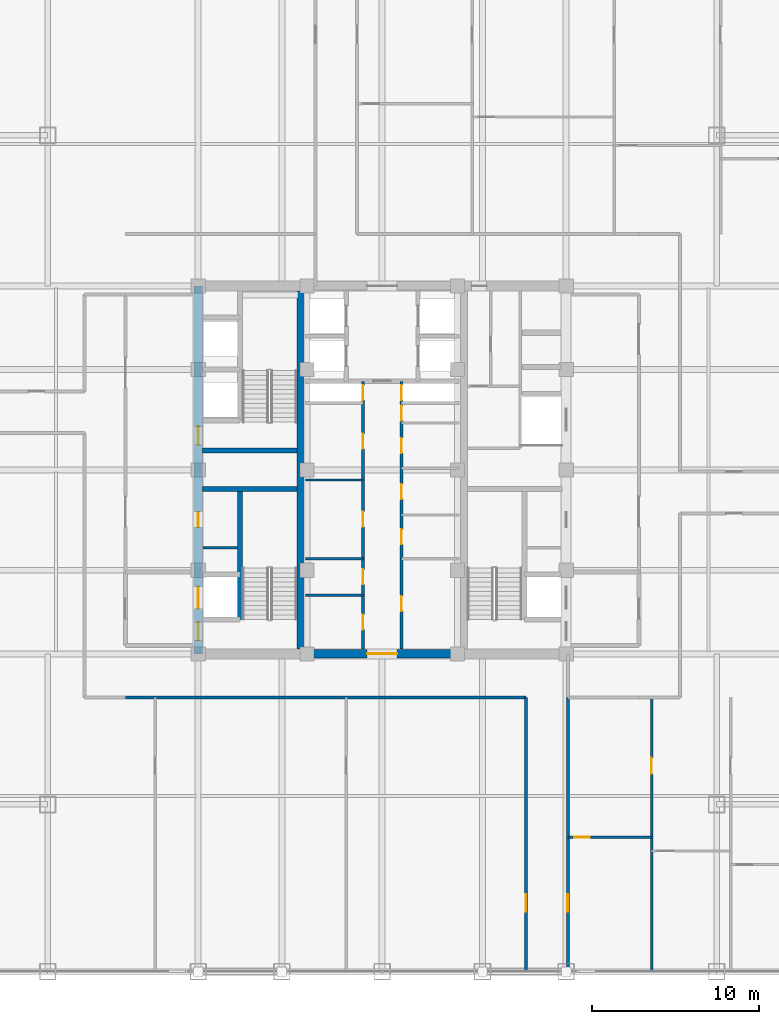
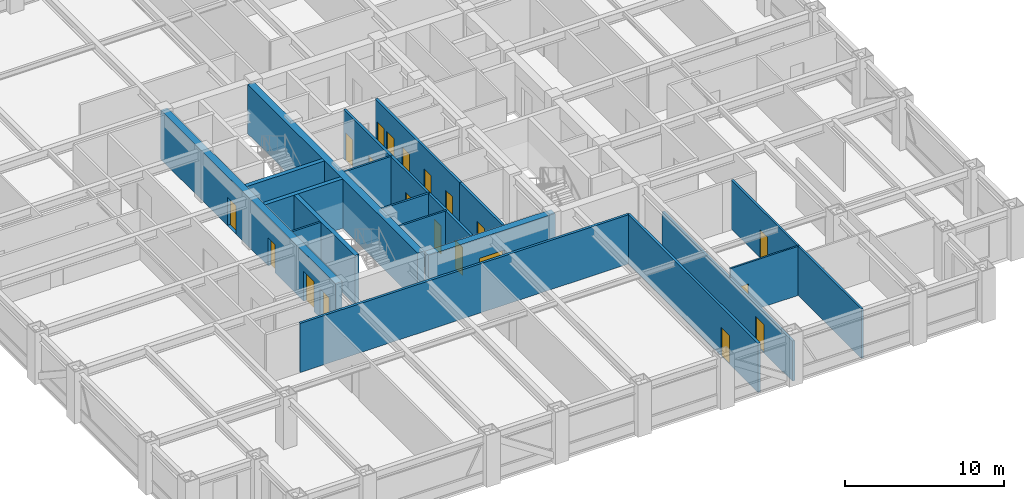
# One storey, part 20 of 25: 20 doors, 19 walls, 20 openings.
"""IFC4 building model written with IfcOpenShell, lengths in metres."""

from ifc_helpers import new_model, si_unit, direction, frame, frame_2d, origin, place, context, subcontext, project, spatial, rectangle, extrude, source, transform, mapped, material, layer, layer_set, type_object, element, fill, save


model = new_model("IFC4")

# Units and contexts
model_context = context("Model", 3, precision=1e-05, world=origin(), true_north=direction((0.0, 1.0)))
body_context = subcontext(model_context, "Body", "Model", "MODEL_VIEW")
ifc_project = project(units=[si_unit("LENGTHUNIT", "METRE"), si_unit("AREAUNIT", "SQUARE_METRE"), si_unit("VOLUMEUNIT", "CUBIC_METRE"), si_unit("PLANEANGLEUNIT", "RADIAN"), si_unit("MASSUNIT", "GRAM", prefix="KILO")], contexts=[model_context])

# Site, building, storey
site_placement = place(None, origin())
site = spatial("IfcSite", under=ifc_project, at=site_placement, CompositionType="ELEMENT")
building_placement = place(site_placement, origin())
building = spatial("IfcBuilding", under=site, at=building_placement, Name="Khorayat Bourse Tower", CompositionType="ELEMENT")
storey_placement = place(building_placement, frame((0.0, 0.0, 251.10009765625)))
storey = spatial("IfcBuildingStorey", under=building, at=storey_placement, Name="L59", CompositionType="ELEMENT", Elevation=251.10009765625)

# Wall
ifc_material_1 = material(Name="Concrete C52/65", Category="concrete")
ifc_layer_1 = layer(ifc_material_1, 0.5)
ifc_layer_set_1 = layer_set([ifc_layer_1], Name="Concrete C52/65")
wall_type_1 = type_object("IfcWallType", Name="WAL-CORE-500", PredefinedType="SHEAR", material=ifc_layer_set_1)
shared_shape_1 = source(origin(), body_context, "Body", "SweptSolid", [
    extrude(rectangle(XDim=21.39990234375, YDim=0.5, at=frame_2d((10.699951171875, 0.0))), origin(), (0.0, 0.0, 1.0), 3.77978515625),
])
wall_1_placement = place(storey_placement, frame((-4.85009765625, -10.699951171875, 0.0), z_axis=(0.0, 0.0, 1.0), x_axis=(0.0, 1.0, 0.0)))
element("IfcWall", 1, at=wall_1_placement, inside=storey, type_object=wall_type_1, Name="L59 Core Shear Wall PIER-W", PredefinedType="SHEAR", context=body_context, shape_type="MappedRepresentation", body=[
    mapped(shared_shape_1, transform((0.0, 0.0, 0.0), scale=1.0)),
])

# Wall, opening, door
shared_shape_2 = source(origin(), body_context, "Body", "SweptSolid", [
    extrude(rectangle(XDim=9.2001953125, YDim=0.5, at=frame_2d((4.60009765625, 0.0))), origin(), (0.0, 0.0, 1.0), 3.77978515625),
])
wall_2_placement = place(storey_placement, frame((-4.60009765625, -11.0, 0.0), z_axis=(0.0, 0.0, 1.0), x_axis=(1.0, 0.0, 0.0)))
wall_2 = element("IfcWall", 2, at=wall_2_placement, inside=storey, type_object=wall_type_1, Name="L59 Core Shear Wall CORE-S", PredefinedType="SHEAR", context=body_context, shape_type="MappedRepresentation", body=[
    mapped(shared_shape_2, transform((0.0, 0.0, 0.0), scale=1.0)),
])
shared_shape_3 = source(origin(), body_context, "Body", "SweptSolid", [
    extrude(rectangle(XDim=1.800048828125, YDim=2.25, at=frame_2d((0.89990234375, 1.125))), frame((0.0, 0.260009765625, 0.0), z_axis=(0.0, -1.0, 0.0), x_axis=(1.0, 0.0, 0.0)), (0.0, 0.0, 1.0), 0.52001953125),
])
opening_1_placement = place(wall_2_placement, frame((3.699951171875, 0.0, 0.0)))
opening_1 = element("IfcOpeningElement", 3, at=opening_1_placement, cuts=wall_2, Name="Opening DI-03", PredefinedType="OPENING", context=body_context, shape_type="MappedRepresentation", body=[
    mapped(shared_shape_3, transform((0.0, 0.0, 0.0), scale=1.0)),
])
ifc_material_2 = material(Name="Fire-rated hardwood vision-panel double leaf", Category="wood")
door_type_1 = type_object("IfcDoorType", Name="DR-INT-CORR-1800", OperationType="NOTDEFINED", PredefinedType="DOOR", material=ifc_material_2)
shared_shape_4 = source(origin(), body_context, "Body", "SweptSolid", [
    extrude(rectangle(XDim=1.800048828125, YDim=2.25, at=frame_2d((0.89990234375, 1.125))), frame((0.0, 0.02490234375, 0.0), z_axis=(0.0, -1.0, 0.0), x_axis=(1.0, 0.0, 0.0)), (0.0, 0.0, 1.0), 0.050048828125),
])
door_1_placement = place(opening_1_placement, origin())
door_1 = element("IfcDoor", 4, at=door_1_placement, inside=storey, type_object=door_type_1, Name="L59 Central Core South Passage Door", OperationType="SINGLE_SWING_LEFT", OverallHeight=2.25, OverallWidth=1.800048828125, PredefinedType="DOOR", context=body_context, shape_type="MappedRepresentation", body=[
    mapped(shared_shape_4, transform((0.0, 0.0, 0.0), scale=1.0)),
])
fill(opening_1, door_1)

# Wall, openings, doors
shared_shape_5 = source(origin(), body_context, "Body", "SweptSolid", [
    extrude(rectangle(XDim=22.0, YDim=0.5, at=frame_2d((11.0, 0.0))), origin(), (0.0, 0.0, 1.0), 3.77978515625),
])
wall_3_placement = place(storey_placement, frame((-11.0, -11.0, 0.0), z_axis=(0.0, 0.0, 1.0), x_axis=(0.0, 1.0, 0.0)))
wall_3 = element("IfcWall", 5, at=wall_3_placement, inside=storey, type_object=wall_type_1, Name="L59 Core Shear Wall CORE-W", PredefinedType="SHEAR", context=body_context, shape_type="MappedRepresentation", body=[
    mapped(shared_shape_5, transform((0.0, 0.0, 0.0), scale=1.0)),
])
shared_shape_6 = source(origin(), body_context, "Body", "SweptSolid", [
    extrude(rectangle(XDim=1.10009765625, YDim=2.199951171875, at=frame_2d((0.550048828125, 1.10009765625))), frame((0.0, 0.260009765625, 0.0), z_axis=(0.0, -1.0, 0.0), x_axis=(1.0, 0.0, 0.0)), (0.0, 0.0, 1.0), 0.52001953125),
])
opening_2_placement = place(wall_3_placement, frame((0.800048828125, 0.0, 0.0)))
opening_2 = element("IfcOpeningElement", 6, at=opening_2_placement, cuts=wall_3, Name="Opening DI-01", PredefinedType="OPENING", context=body_context, shape_type="MappedRepresentation", body=[
    mapped(shared_shape_6, transform((0.0, 0.0, 0.0), scale=1.0)),
])
opening_3_placement = place(wall_3_placement, frame((12.5, 0.0, 0.0)))
opening_3 = element("IfcOpeningElement", 7, at=opening_3_placement, cuts=wall_3, Name="Opening DI-01", PredefinedType="OPENING", context=body_context, shape_type="MappedRepresentation", body=[
    mapped(shared_shape_6, transform((0.0, 0.0, 0.0), scale=1.0)),
])
shared_shape_7 = source(origin(), body_context, "Body", "SweptSolid", [
    extrude(rectangle(XDim=0.89990234375, YDim=2.14990234375, at=frame_2d((0.449951171875, 1.074951171875))), frame((0.0, 0.260009765625, 0.0), z_axis=(0.0, -1.0, 0.0), x_axis=(1.0, 0.0, 0.0)), (0.0, 0.0, 1.0), 0.52001953125),
])
opening_4_placement = place(wall_3_placement, frame((7.574951171875, 0.0, 0.0)))
opening_4 = element("IfcOpeningElement", 8, at=opening_4_placement, cuts=wall_3, Name="Opening DI-06", PredefinedType="OPENING", context=body_context, shape_type="MappedRepresentation", body=[
    mapped(shared_shape_7, transform((0.0, 0.0, 0.0), scale=1.0)),
])
shared_shape_8 = source(origin(), body_context, "Body", "SweptSolid", [
    extrude(rectangle(XDim=1.300048828125, YDim=2.300048828125, at=frame_2d((0.64990234375, 1.14990234375))), frame((0.0, 0.260009765625, 0.0), z_axis=(0.0, -1.0, 0.0), x_axis=(1.0, 0.0, 0.0)), (0.0, 0.0, 1.0), 0.52001953125),
])
opening_5_placement = place(wall_3_placement, frame((2.699951171875, 0.0, 0.0)))
opening_5 = element("IfcOpeningElement", 9, at=opening_5_placement, cuts=wall_3, Name="Opening LD-02", PredefinedType="OPENING", context=body_context, shape_type="MappedRepresentation", body=[
    mapped(shared_shape_8, transform((0.0, 0.0, 0.0), scale=1.0)),
])
ifc_material_3 = material(Name="Fire-rated steel acoustic leaf", Category="steel")
door_type_2 = type_object("IfcDoorType", Name="DR-INT-STAIR-1100", OperationType="NOTDEFINED", PredefinedType="DOOR", material=ifc_material_3)
shared_shape_9 = source(origin(), body_context, "Body", "SweptSolid", [
    extrude(rectangle(XDim=1.10009765625, YDim=2.199951171875, at=frame_2d((0.550048828125, 1.10009765625))), frame((0.0, 0.02490234375, 0.0), z_axis=(0.0, -1.0, 0.0), x_axis=(1.0, 0.0, 0.0)), (0.0, 0.0, 1.0), 0.050048828125),
])
door_2_placement = place(opening_2_placement, origin())
door_2 = element("IfcDoor", 10, at=door_2_placement, inside=storey, type_object=door_type_2, Name="L59 Exit Stair 1 Door", OperationType="SINGLE_SWING_RIGHT", OverallHeight=2.199951171875, OverallWidth=1.10009765625, PredefinedType="DOOR", context=body_context, shape_type="MappedRepresentation", body=[
    mapped(shared_shape_9, transform((0.0, 0.0, 0.0), scale=1.0)),
])
fill(opening_2, door_2)
door_3_placement = place(opening_3_placement, origin())
door_3 = element("IfcDoor", 11, at=door_3_placement, inside=storey, type_object=door_type_2, Name="L59 Exit Stair 2 Door", OperationType="SINGLE_SWING_RIGHT", OverallHeight=2.199951171875, OverallWidth=1.10009765625, PredefinedType="DOOR", context=body_context, shape_type="MappedRepresentation", body=[
    mapped(shared_shape_9, transform((0.0, 0.0, 0.0), scale=1.0)),
])
fill(opening_3, door_3)
ifc_material_4 = material(Name="Moisture-resistant laminate washroom door")
door_type_3 = type_object("IfcDoorType", Name="DR-INT-WC-900", OperationType="NOTDEFINED", PredefinedType="DOOR", material=ifc_material_4)
shared_shape_10 = source(origin(), body_context, "Body", "SweptSolid", [
    extrude(rectangle(XDim=0.89990234375, YDim=2.14990234375, at=frame_2d((0.449951171875, 1.074951171875))), frame((0.0, 0.02490234375, 0.0), z_axis=(0.0, -1.0, 0.0), x_axis=(1.0, 0.0, 0.0)), (0.0, 0.0, 1.0), 0.050048828125),
])
door_4_placement = place(opening_4_placement, origin())
door_4 = element("IfcDoor", 12, at=door_4_placement, inside=storey, type_object=door_type_3, Name="L59 UPS Switch Plant Room Door", OperationType="SINGLE_SWING_RIGHT", OverallHeight=2.14990234375, OverallWidth=0.89990234375, PredefinedType="DOOR", context=body_context, shape_type="MappedRepresentation", body=[
    mapped(shared_shape_10, transform((0.0, 0.0, 0.0), scale=1.0)),
])
fill(opening_4, door_4)
ifc_material_5 = material(Name="Fire-rated stainless-steel sliding landing door", Category="steel")
door_type_4 = type_object("IfcDoorType", Name="DR-LIFT-FF-1300", OperationType="NOTDEFINED", PredefinedType="DOOR", material=ifc_material_5)
shared_shape_11 = source(origin(), body_context, "Body", "SweptSolid", [
    extrude(rectangle(XDim=1.300048828125, YDim=2.300048828125, at=frame_2d((0.64990234375, 1.14990234375))), frame((0.0, 0.02490234375, 0.0), z_axis=(0.0, -1.0, 0.0), x_axis=(1.0, 0.0, 0.0)), (0.0, 0.0, 1.0), 0.050048828125),
])
door_5_placement = place(opening_5_placement, origin())
door_5 = element("IfcDoor", 13, at=door_5_placement, inside=storey, type_object=door_type_4, Name="L59 Lift FFL-01 Sliding Landing Door", OperationType="SLIDING_TO_LEFT", OverallHeight=2.300048828125, OverallWidth=1.300048828125, PredefinedType="DOOR", context=body_context, shape_type="MappedRepresentation", body=[
    mapped(shared_shape_11, transform((0.0, 0.0, 0.0), scale=1.0)),
])
fill(opening_5, door_5)

# Walls
ifc_material_6 = material(Name="Concrete C50/60", Category="concrete")
ifc_layer_2 = layer(ifc_material_6, 0.300048828125)
ifc_layer_set_2 = layer_set([ifc_layer_2], Name="Concrete C50/60")
wall_type_2 = type_object("IfcWallType", Name="WAL-SHAFT-300", PredefinedType="SHEAR", material=ifc_layer_set_2)
shared_shape_12 = source(origin(), body_context, "Body", "SweptSolid", [
    extrude(rectangle(XDim=5.64990234375, YDim=0.300048828125, at=frame_2d((2.824951171875, 0.0))), origin(), (0.0, 0.0, 1.0), 3.77978515625),
])
for number, where, z_axis, x_axis, name in (
    (14, (-10.75, -1.14990234375, 0.0), (0.0, 0.0, 1.0), (1.0, 0.0, 0.0), "L59 Core Shear Wall ST1-DIV"),
    (15, (-10.75, 1.14990234375, 0.0), (0.0, 0.0, 1.0), (1.0, 0.0, 0.0), "L59 Core Shear Wall ST2-DIV"),
):
    element("IfcWall", number, at=place(storey_placement, frame(where, z_axis=z_axis, x_axis=x_axis)), inside=storey, type_object=wall_type_2, Name=name, PredefinedType="SHEAR", context=body_context, shape_type="MappedRepresentation", body=[
        mapped(shared_shape_12, transform((0.0, 0.0, 0.0), scale=1.0)),
    ])
shared_shape_13 = source(origin(), body_context, "Body", "SweptSolid", [
    extrude(rectangle(XDim=7.800048828125, YDim=0.300048828125, at=frame_2d((3.89990234375, 0.0))), origin(), (0.0, 0.0, 1.0), 3.77978515625),
])
wall_4_placement = place(storey_placement, frame((-8.5, -8.949951171875, 0.0), z_axis=(0.0, 0.0, 1.0), x_axis=(0.0, 1.0, 0.0)))
element("IfcWall", 16, at=wall_4_placement, inside=storey, type_object=wall_type_2, Name="L59 Partition WAL-L59-WPIER-SP", PredefinedType="SHEAR", context=body_context, shape_type="MappedRepresentation", body=[
    mapped(shared_shape_13, transform((0.0, 0.0, 0.0), scale=1.0)),
])
ifc_material_7 = material(Name="Gypsum plasterboard twin-frame partition")
ifc_layer_3 = layer(ifc_material_7, 0.14990234375)
ifc_layer_set_3 = layer_set([ifc_layer_3], Name="Gypsum plasterboard twin-frame partition")
wall_type_3 = type_object("IfcWallType", Name="WAL-PART-SUITE-150", PredefinedType="PARTITIONING", material=ifc_layer_set_3)
shared_shape_14 = source(origin(), body_context, "Body", "SweptSolid", [
    extrude(rectangle(XDim=2.050048828125, YDim=0.14990234375, at=frame_2d((1.02490234375, 0.0))), origin(), (0.0, 0.0, 1.0), 3.77978515625),
])
wall_5_placement = place(storey_placement, frame((-10.699951171875, -4.64990234375, 0.0), z_axis=(0.0, 0.0, 1.0), x_axis=(1.0, 0.0, 0.0)))
element("IfcWall", 17, at=wall_5_placement, inside=storey, type_object=wall_type_3, Name="L59 Partition WAL-L59-WSRV-S0", PredefinedType="PARTITIONING", context=body_context, shape_type="MappedRepresentation", body=[
    mapped(shared_shape_14, transform((0.0, 0.0, 0.0), scale=1.0)),
])
shared_shape_15 = source(origin(), body_context, "Body", "SweptSolid", [
    extrude(rectangle(XDim=3.4501953125, YDim=0.14990234375, at=frame_2d((1.72509765625, 0.0))), origin(), (0.0, 0.0, 1.0), 3.77978515625),
])
wall_6_placement = place(storey_placement, frame((-4.60009765625, -5.300048828125, 0.0), z_axis=(0.0, 0.0, 1.0), x_axis=(1.0, 0.0, 0.0)))
element("IfcWall", 18, at=wall_6_placement, inside=storey, type_object=wall_type_3, Name="L59 Partition WAL-L59-FB1-NW", PredefinedType="PARTITIONING", context=body_context, shape_type="MappedRepresentation", body=[
    mapped(shared_shape_15, transform((0.0, 0.0, 0.0), scale=1.0)),
])
ifc_material_8 = material(Name="Moisture-resistant masonry partition", Category="masonry")
ifc_layer_4 = layer(ifc_material_8, 0.139892578125)
ifc_layer_set_4 = layer_set([ifc_layer_4], Name="Moisture-resistant masonry partition")
wall_type_4 = type_object("IfcWallType", Name="WAL-PART-WET-140", PredefinedType="PARTITIONING", material=ifc_layer_set_4)
shared_shape_16 = source(origin(), body_context, "Body", "SweptSolid", [
    extrude(rectangle(XDim=3.4501953125, YDim=0.139892578125, at=frame_2d((1.72509765625, 0.0))), origin(), (0.0, 0.0, 1.0), 3.77978515625),
])
for number, where, z_axis, x_axis, name in (
    (19, (-4.60009765625, -7.5, 0.0), (0.0, 0.0, 1.0), (1.0, 0.0, 0.0), "L59 Partition WAL-L59-FB1W-D1"),
    (20, (-4.60009765625, -0.60009765625, 0.0), (0.0, 0.0, 1.0), (1.0, 0.0, 0.0), "L59 Partition WAL-L59-CMW-D1"),
):
    element("IfcWall", number, at=place(storey_placement, frame(where, z_axis=z_axis, x_axis=x_axis)), inside=storey, type_object=wall_type_4, Name=name, PredefinedType="PARTITIONING", context=body_context, shape_type="MappedRepresentation", body=[
        mapped(shared_shape_16, transform((0.0, 0.0, 0.0), scale=1.0)),
    ])

# Wall, openings, doors
ifc_material_9 = material(Name="Gypsum plasterboard acoustic stud wall")
ifc_layer_5 = layer(ifc_material_9, 0.179931640625)
ifc_layer_set_5 = layer_set([ifc_layer_5], Name="Gypsum plasterboard acoustic stud wall")
wall_type_5 = type_object("IfcWallType", Name="WAL-PART-CORR-180", PredefinedType="PARTITIONING", material=ifc_layer_set_5)
shared_shape_17 = source(origin(), body_context, "Body", "SweptSolid", [
    extrude(rectangle(XDim=5.39990234375, YDim=0.179931640625, at=frame_2d((2.699951171875, 0.0))), origin(), (0.0, 0.0, 1.0), 3.77978515625),
])
wall_7_placement = place(storey_placement, frame((-1.14990234375, -10.699951171875, 0.0), z_axis=(0.0, 0.0, 1.0), x_axis=(0.0, 1.0, 0.0)))
wall_7 = element("IfcWall", 21, at=wall_7_placement, inside=storey, type_object=wall_type_5, Name="L59 Partition WAL-L59-FB1W-L", PredefinedType="PARTITIONING", context=body_context, shape_type="MappedRepresentation", body=[
    mapped(shared_shape_17, transform((0.0, 0.0, 0.0), scale=1.0)),
])
shared_shape_18 = source(origin(), body_context, "Body", "SweptSolid", [
    extrude(rectangle(XDim=0.89990234375, YDim=2.14990234375, at=frame_2d((0.449951171875, 1.074951171875))), frame((0.0, 0.099853515625, 0.0), z_axis=(0.0, -1.0, 0.0), x_axis=(1.0, 0.0, 0.0)), (0.0, 0.0, 1.0), 0.199951171875),
])
opening_6_placement = place(wall_7_placement, frame((1.14990234375, 0.0, 0.0)))
opening_6 = element("IfcOpeningElement", 22, at=opening_6_placement, cuts=wall_7, Name="Opening DI-06", PredefinedType="OPENING", context=body_context, shape_type="MappedRepresentation", body=[
    mapped(shared_shape_18, transform((0.0, 0.0, 0.0), scale=1.0)),
])
opening_7_placement = place(wall_7_placement, frame((3.85009765625, 0.0, 0.0)))
opening_7 = element("IfcOpeningElement", 23, at=opening_7_placement, cuts=wall_7, Name="Opening DI-06", PredefinedType="OPENING", context=body_context, shape_type="MappedRepresentation", body=[
    mapped(shared_shape_18, transform((0.0, 0.0, 0.0), scale=1.0)),
])
door_6_placement = place(opening_6_placement, origin())
door_6 = element("IfcDoor", 24, at=door_6_placement, inside=storey, type_object=door_type_3, Name="L59 Records Vault Store Door", OperationType="SINGLE_SWING_RIGHT", OverallHeight=2.14990234375, OverallWidth=0.89990234375, PredefinedType="DOOR", context=body_context, shape_type="MappedRepresentation", body=[
    mapped(shared_shape_10, transform((0.0, 0.0, 0.0), scale=1.0)),
])
fill(opening_6, door_6)
door_7_placement = place(opening_7_placement, origin())
door_7 = element("IfcDoor", 25, at=door_7_placement, inside=storey, type_object=door_type_3, Name="L59 Sprinkler Valve Plant Room Door", OperationType="SINGLE_SWING_LEFT", OverallHeight=2.14990234375, OverallWidth=0.89990234375, PredefinedType="DOOR", context=body_context, shape_type="MappedRepresentation", body=[
    mapped(shared_shape_10, transform((0.0, 0.0, 0.0), scale=1.0)),
])
fill(opening_7, door_7)

# Wall, opening, door
wall_8_placement = place(storey_placement, frame((1.14990234375, -10.699951171875, 0.0), z_axis=(0.0, 0.0, 1.0), x_axis=(0.0, 1.0, 0.0)))
wall_8 = element("IfcWall", 26, at=wall_8_placement, inside=storey, type_object=wall_type_5, Name="L59 Partition WAL-L59-FB1E-L", PredefinedType="PARTITIONING", context=body_context, shape_type="MappedRepresentation", body=[
    mapped(shared_shape_17, transform((0.0, 0.0, 0.0), scale=1.0)),
])
opening_8_placement = place(wall_8_placement, frame((2.25, 0.0, 0.0)))
opening_8 = element("IfcOpeningElement", 27, at=opening_8_placement, cuts=wall_8, Name="Opening DI-06", PredefinedType="OPENING", context=body_context, shape_type="MappedRepresentation", body=[
    mapped(shared_shape_18, transform((0.0, 0.0, 0.0), scale=1.0)),
])
door_8_placement = place(opening_8_placement, origin())
door_8 = element("IfcDoor", 28, at=door_8_placement, inside=storey, type_object=door_type_3, Name="L59 Telemetry Server Plant Room Door", OperationType="SINGLE_SWING_RIGHT", OverallHeight=2.14990234375, OverallWidth=0.89990234375, PredefinedType="DOOR", context=body_context, shape_type="MappedRepresentation", body=[
    mapped(shared_shape_10, transform((0.0, 0.0, 0.0), scale=1.0)),
])
fill(opening_8, door_8)

# Wall, openings, doors
shared_shape_19 = source(origin(), body_context, "Body", "SweptSolid", [
    extrude(rectangle(XDim=10.60009765625, YDim=0.179931640625, at=frame_2d((5.300048828125, 0.0))), origin(), (0.0, 0.0, 1.0), 3.77978515625),
])
wall_9_placement = place(storey_placement, frame((-1.14990234375, -5.300048828125, 0.0), z_axis=(0.0, 0.0, 1.0), x_axis=(0.0, 1.0, 0.0)))
wall_9 = element("IfcWall", 29, at=wall_9_placement, inside=storey, type_object=wall_type_5, Name="L59 Partition WAL-L59-CMW-L", PredefinedType="PARTITIONING", context=body_context, shape_type="MappedRepresentation", body=[
    mapped(shared_shape_19, transform((0.0, 0.0, 0.0), scale=1.0)),
])
opening_9_placement = place(wall_9_placement, frame((1.89990234375, 0.0, 0.0)))
opening_9 = element("IfcOpeningElement", 30, at=opening_9_placement, cuts=wall_9, Name="Opening DI-06", PredefinedType="OPENING", context=body_context, shape_type="MappedRepresentation", body=[
    mapped(shared_shape_18, transform((0.0, 0.0, 0.0), scale=1.0)),
])
opening_10_placement = place(wall_9_placement, frame((6.550048828125, 0.0, 0.0)))
opening_10 = element("IfcOpeningElement", 31, at=opening_10_placement, cuts=wall_9, Name="Opening DI-06", PredefinedType="OPENING", context=body_context, shape_type="MappedRepresentation", body=[
    mapped(shared_shape_18, transform((0.0, 0.0, 0.0), scale=1.0)),
])
opening_11_placement = place(wall_9_placement, frame((9.47509765625, 0.0, 0.0)))
opening_11 = element("IfcOpeningElement", 32, at=opening_11_placement, cuts=wall_9, Name="Opening DI-06", PredefinedType="OPENING", context=body_context, shape_type="MappedRepresentation", body=[
    mapped(shared_shape_18, transform((0.0, 0.0, 0.0), scale=1.0)),
])
door_9_placement = place(opening_9_placement, origin())
door_9 = element("IfcDoor", 33, at=door_9_placement, inside=storey, type_object=door_type_3, Name="L59 Male Core Washroom Door", OperationType="SINGLE_SWING_RIGHT", OverallHeight=2.14990234375, OverallWidth=0.89990234375, PredefinedType="DOOR", context=body_context, shape_type="MappedRepresentation", body=[
    mapped(shared_shape_10, transform((0.0, 0.0, 0.0), scale=1.0)),
])
fill(opening_9, door_9)
door_10_placement = place(opening_10_placement, origin())
door_10 = element("IfcDoor", 34, at=door_10_placement, inside=storey, type_object=door_type_3, Name="L59 Chilled Water Riser Plant Room Door", OperationType="SINGLE_SWING_LEFT", OverallHeight=2.14990234375, OverallWidth=0.89990234375, PredefinedType="DOOR", context=body_context, shape_type="MappedRepresentation", body=[
    mapped(shared_shape_10, transform((0.0, 0.0, 0.0), scale=1.0)),
])
fill(opening_10, door_10)
door_11_placement = place(opening_11_placement, origin())
door_11 = element("IfcDoor", 35, at=door_11_placement, inside=storey, type_object=door_type_3, Name="L59 West Core Riser Door", OperationType="SINGLE_SWING_LEFT", OverallHeight=2.14990234375, OverallWidth=0.89990234375, PredefinedType="DOOR", context=body_context, shape_type="MappedRepresentation", body=[
    mapped(shared_shape_10, transform((0.0, 0.0, 0.0), scale=1.0)),
])
fill(opening_11, door_11)

wall_10_placement = place(storey_placement, frame((1.14990234375, -5.300048828125, 0.0), z_axis=(0.0, 0.0, 1.0), x_axis=(0.0, 1.0, 0.0)))
wall_10 = element("IfcWall", 36, at=wall_10_placement, inside=storey, type_object=wall_type_5, Name="L59 Partition WAL-L59-CME-L", PredefinedType="PARTITIONING", context=body_context, shape_type="MappedRepresentation", body=[
    mapped(shared_shape_19, transform((0.0, 0.0, 0.0), scale=1.0)),
])
opening_12_placement = place(wall_10_placement, frame((0.85009765625, 0.0, 0.0)))
opening_12 = element("IfcOpeningElement", 37, at=opening_12_placement, cuts=wall_10, Name="Opening DI-06", PredefinedType="OPENING", context=body_context, shape_type="MappedRepresentation", body=[
    mapped(shared_shape_18, transform((0.0, 0.0, 0.0), scale=1.0)),
])
opening_13_placement = place(wall_10_placement, frame((3.550048828125, 0.0, 0.0)))
opening_13 = element("IfcOpeningElement", 38, at=opening_13_placement, cuts=wall_10, Name="Opening DI-06", PredefinedType="OPENING", context=body_context, shape_type="MappedRepresentation", body=[
    mapped(shared_shape_18, transform((0.0, 0.0, 0.0), scale=1.0)),
])
opening_14_placement = place(wall_10_placement, frame((6.300048828125, 0.0, 0.0)))
opening_14 = element("IfcOpeningElement", 39, at=opening_14_placement, cuts=wall_10, Name="Opening DI-06", PredefinedType="OPENING", context=body_context, shape_type="MappedRepresentation", body=[
    mapped(shared_shape_18, transform((0.0, 0.0, 0.0), scale=1.0)),
])
opening_15_placement = place(wall_10_placement, frame((8.25, 0.0, 0.0)))
opening_15 = element("IfcOpeningElement", 40, at=opening_15_placement, cuts=wall_10, Name="Opening DI-06", PredefinedType="OPENING", context=body_context, shape_type="MappedRepresentation", body=[
    mapped(shared_shape_18, transform((0.0, 0.0, 0.0), scale=1.0)),
])
opening_16_placement = place(wall_10_placement, frame((9.47509765625, 0.0, 0.0)))
opening_16 = element("IfcOpeningElement", 41, at=opening_16_placement, cuts=wall_10, Name="Opening DI-06", PredefinedType="OPENING", context=body_context, shape_type="MappedRepresentation", body=[
    mapped(shared_shape_18, transform((0.0, 0.0, 0.0), scale=1.0)),
])
door_12_placement = place(opening_12_placement, origin())
door_12 = element("IfcDoor", 42, at=door_12_placement, inside=storey, type_object=door_type_3, Name="L59 Female Core Washroom Door", OperationType="SINGLE_SWING_RIGHT", OverallHeight=2.14990234375, OverallWidth=0.89990234375, PredefinedType="DOOR", context=body_context, shape_type="MappedRepresentation", body=[
    mapped(shared_shape_10, transform((0.0, 0.0, 0.0), scale=1.0)),
])
fill(opening_12, door_12)
door_13_placement = place(opening_13_placement, origin())
door_13 = element("IfcDoor", 43, at=door_13_placement, inside=storey, type_object=door_type_3, Name="L59 Comms Patch Room Door", OperationType="SINGLE_SWING_LEFT", OverallHeight=2.14990234375, OverallWidth=0.89990234375, PredefinedType="DOOR", context=body_context, shape_type="MappedRepresentation", body=[
    mapped(shared_shape_10, transform((0.0, 0.0, 0.0), scale=1.0)),
])
fill(opening_13, door_13)
door_14_placement = place(opening_14_placement, origin())
door_14 = element("IfcDoor", 44, at=door_14_placement, inside=storey, type_object=door_type_3, Name="L59 Janitor Cupboard Door", OperationType="SINGLE_SWING_RIGHT", OverallHeight=2.14990234375, OverallWidth=0.89990234375, PredefinedType="DOOR", context=body_context, shape_type="MappedRepresentation", body=[
    mapped(shared_shape_10, transform((0.0, 0.0, 0.0), scale=1.0)),
])
fill(opening_14, door_14)
door_15_placement = place(opening_15_placement, origin())
door_15 = element("IfcDoor", 45, at=door_15_placement, inside=storey, type_object=door_type_3, Name="L59 Fire Valve Plant Room Door", OperationType="SINGLE_SWING_LEFT", OverallHeight=2.14990234375, OverallWidth=0.89990234375, PredefinedType="DOOR", context=body_context, shape_type="MappedRepresentation", body=[
    mapped(shared_shape_10, transform((0.0, 0.0, 0.0), scale=1.0)),
])
fill(opening_15, door_15)
door_16_placement = place(opening_16_placement, origin())
door_16 = element("IfcDoor", 46, at=door_16_placement, inside=storey, type_object=door_type_3, Name="L59 East Core Riser Door", OperationType="SINGLE_SWING_RIGHT", OverallHeight=2.14990234375, OverallWidth=0.89990234375, PredefinedType="DOOR", context=body_context, shape_type="MappedRepresentation", body=[
    mapped(shared_shape_10, transform((0.0, 0.0, 0.0), scale=1.0)),
])
fill(opening_16, door_16)

# Wall, opening, door
shared_shape_20 = source(origin(), body_context, "Body", "SweptSolid", [
    extrude(rectangle(XDim=16.39990234375, YDim=0.14990234375, at=frame_2d((8.199951171875, 0.0))), origin(), (0.0, 0.0, 1.0), 3.77978515625),
])
wall_11_placement = place(storey_placement, frame((16.10400390625, -30.0, 0.0), z_axis=(0.0, 0.0, 1.0), x_axis=(0.0, 1.0, 0.0)))
wall_11 = element("IfcWall", 47, at=wall_11_placement, inside=storey, type_object=wall_type_3, Name="L59 Partition WAL-L59-QSEDV-1", PredefinedType="PARTITIONING", context=body_context, shape_type="MappedRepresentation", body=[
    mapped(shared_shape_20, transform((0.0, 0.0, 0.0), scale=1.0)),
])
shared_shape_21 = source(origin(), body_context, "Body", "SweptSolid", [
    extrude(rectangle(XDim=0.949951171875, YDim=2.14990234375, at=frame_2d((0.47509765625, 1.074951171875))), frame((0.0, 0.0849609375, 0.0), z_axis=(0.0, -1.0, 0.0), x_axis=(1.0, 0.0, 0.0)), (0.0, 0.0, 1.0), 0.169921875),
])
opening_17_placement = place(wall_11_placement, frame((11.824951171875, 0.0, 0.0)))
opening_17 = element("IfcOpeningElement", 48, at=opening_17_placement, cuts=wall_11, Name="Opening DI-05", PredefinedType="OPENING", context=body_context, shape_type="MappedRepresentation", body=[
    mapped(shared_shape_21, transform((0.0, 0.0, 0.0), scale=1.0)),
])
ifc_material_10 = material(Name="Acoustic oak veneer office door")
door_type_5 = type_object("IfcDoorType", Name="DR-INT-OFFICE-950", OperationType="NOTDEFINED", PredefinedType="DOOR", material=ifc_material_10)
shared_shape_22 = source(origin(), body_context, "Body", "SweptSolid", [
    extrude(rectangle(XDim=0.949951171875, YDim=2.14990234375, at=frame_2d((0.47509765625, 1.074951171875))), frame((0.0, 0.02490234375, 0.0), z_axis=(0.0, -1.0, 0.0), x_axis=(1.0, 0.0, 0.0)), (0.0, 0.0, 1.0), 0.050048828125),
])
door_17_placement = place(opening_17_placement, origin())
door_17 = element("IfcDoor", 49, at=door_17_placement, inside=storey, type_object=door_type_5, Name="L59 South-East Suite Link 1", OperationType="SINGLE_SWING_RIGHT", OverallHeight=2.14990234375, OverallWidth=0.949951171875, PredefinedType="DOOR", context=body_context, shape_type="MappedRepresentation", body=[
    mapped(shared_shape_22, transform((0.0, 0.0, 0.0), scale=1.0)),
])
fill(opening_17, door_17)

shared_shape_23 = source(origin(), body_context, "Body", "SweptSolid", [
    extrude(rectangle(XDim=16.39990234375, YDim=0.179931640625, at=frame_2d((8.199951171875, 0.0))), origin(), (0.0, 0.0, 1.0), 3.77978515625),
])
wall_12_placement = place(storey_placement, frame((8.60009765625, -30.0, 0.0), z_axis=(0.0, 0.0, 1.0), x_axis=(0.0, 1.0, 0.0)))
wall_12 = element("IfcWall", 50, at=wall_12_placement, inside=storey, type_object=wall_type_5, Name="L59 Partition WAL-L59-QSW-SPK", PredefinedType="PARTITIONING", context=body_context, shape_type="MappedRepresentation", body=[
    mapped(shared_shape_23, transform((0.0, 0.0, 0.0), scale=1.0)),
])
shared_shape_24 = source(origin(), body_context, "Body", "SweptSolid", [
    extrude(rectangle(XDim=1.050048828125, YDim=2.199951171875, at=frame_2d((0.52490234375, 1.10009765625))), frame((0.0, 0.099853515625, 0.0), z_axis=(0.0, -1.0, 0.0), x_axis=(1.0, 0.0, 0.0)), (0.0, 0.0, 1.0), 0.199951171875),
])
opening_18_placement = place(wall_12_placement, frame((3.574951171875, 0.0, 0.0)))
opening_18 = element("IfcOpeningElement", 51, at=opening_18_placement, cuts=wall_12, Name="Opening DI-04", PredefinedType="OPENING", context=body_context, shape_type="MappedRepresentation", body=[
    mapped(shared_shape_24, transform((0.0, 0.0, 0.0), scale=1.0)),
])
ifc_material_11 = material(Name="Fire-rated oak veneer suite entrance door")
door_type_6 = type_object("IfcDoorType", Name="DR-INT-SUITE-1050", OperationType="NOTDEFINED", PredefinedType="DOOR", material=ifc_material_11)
shared_shape_25 = source(origin(), body_context, "Body", "SweptSolid", [
    extrude(rectangle(XDim=1.050048828125, YDim=2.199951171875, at=frame_2d((0.52490234375, 1.10009765625))), frame((0.0, 0.02490234375, 0.0), z_axis=(0.0, -1.0, 0.0), x_axis=(1.0, 0.0, 0.0)), (0.0, 0.0, 1.0), 0.050048828125),
])
door_18_placement = place(opening_18_placement, origin())
door_18 = element("IfcDoor", 52, at=door_18_placement, inside=storey, type_object=door_type_6, Name="L59 South-West Radial Spoke Entry", OperationType="SINGLE_SWING_LEFT", OverallHeight=2.199951171875, OverallWidth=1.050048828125, PredefinedType="DOOR", context=body_context, shape_type="MappedRepresentation", body=[
    mapped(shared_shape_25, transform((0.0, 0.0, 0.0), scale=1.0)),
])
fill(opening_18, door_18)

# Wall
shared_shape_26 = source(origin(), body_context, "Body", "SweptSolid", [
    extrude(rectangle(XDim=23.9501953125, YDim=0.179931640625, at=frame_2d((11.97509765625, 0.0))), origin(), (0.0, 0.0, 1.0), 3.77978515625),
])
wall_13_placement = place(storey_placement, frame((-15.35009765625, -13.60009765625, 0.0), z_axis=(0.0, 0.0, 1.0), x_axis=(1.0, 0.0, 0.0)))
element("IfcWall", 53, at=wall_13_placement, inside=storey, type_object=wall_type_5, Name="L59 Partition WAL-L59-QSW-HC", PredefinedType="PARTITIONING", context=body_context, shape_type="MappedRepresentation", body=[
    mapped(shared_shape_26, transform((0.0, 0.0, 0.0), scale=1.0)),
])

# Wall, opening, door
ifc_material_12 = material(Name="Gypsum plasterboard partition")
ifc_layer_6 = layer(ifc_material_12, 0.125)
ifc_layer_set_6 = layer_set([ifc_layer_6], Name="Gypsum plasterboard partition")
wall_type_6 = type_object("IfcWallType", Name="WAL-PART-ROOM-125", PredefinedType="PARTITIONING", material=ifc_layer_set_6)
shared_shape_27 = source(origin(), body_context, "Body", "SweptSolid", [
    extrude(rectangle(XDim=5.00390625, YDim=0.125, at=frame_2d((2.501953125, 0.0))), origin(), (0.0, 0.0, 1.0), 3.77978515625),
])
wall_14_placement = place(storey_placement, frame((11.10009765625, -21.964111328125, 0.0), z_axis=(0.0, 0.0, 1.0), x_axis=(1.0, 0.0, 0.0)))
wall_14 = element("IfcWall", 54, at=wall_14_placement, inside=storey, type_object=wall_type_6, Name="L59 Partition WAL-L59-QSEDP-1", PredefinedType="PARTITIONING", context=body_context, shape_type="MappedRepresentation", body=[
    mapped(shared_shape_27, transform((0.0, 0.0, 0.0), scale=1.0)),
])
shared_shape_28 = source(origin(), body_context, "Body", "SweptSolid", [
    extrude(rectangle(XDim=0.949951171875, YDim=2.14990234375, at=frame_2d((0.47509765625, 1.074951171875))), frame((0.0, 0.072509765625, 0.0), z_axis=(0.0, -1.0, 0.0), x_axis=(1.0, 0.0, 0.0)), (0.0, 0.0, 1.0), 0.14501953125),
])
opening_19_placement = place(wall_14_placement, frame((0.375, 0.0, 0.0)))
opening_19 = element("IfcOpeningElement", 55, at=opening_19_placement, cuts=wall_14, Name="Opening DI-05", PredefinedType="OPENING", context=body_context, shape_type="MappedRepresentation", body=[
    mapped(shared_shape_28, transform((0.0, 0.0, 0.0), scale=1.0)),
])
door_19_placement = place(opening_19_placement, origin())
door_19 = element("IfcDoor", 56, at=door_19_placement, inside=storey, type_object=door_type_5, Name="L59 South-East Market Committee Conference Room 1B Door", OperationType="SINGLE_SWING_RIGHT", OverallHeight=2.14990234375, OverallWidth=0.949951171875, PredefinedType="DOOR", context=body_context, shape_type="MappedRepresentation", body=[
    mapped(shared_shape_22, transform((0.0, 0.0, 0.0), scale=1.0)),
])
fill(opening_19, door_19)

shared_shape_29 = source(origin(), body_context, "Body", "SweptSolid", [
    extrude(rectangle(XDim=16.39990234375, YDim=0.179931640625, at=frame_2d((8.199951171875, 0.0))), origin(), (0.0, 0.0, 1.0), 3.0849609375),
])
wall_15_placement = place(storey_placement, frame((11.10009765625, -30.0, 0.0), z_axis=(0.0, 0.0, 1.0), x_axis=(0.0, 1.0, 0.0)))
wall_15 = element("IfcWall", 57, at=wall_15_placement, inside=storey, type_object=wall_type_5, Name="L59 Partition WAL-L59-QSE-SPK", PredefinedType="PARTITIONING", context=body_context, shape_type="MappedRepresentation", body=[
    mapped(shared_shape_29, transform((0.0, 0.0, 0.0), scale=1.0)),
])
opening_20_placement = place(wall_15_placement, frame((3.574951171875, 0.0, 0.0)))
opening_20 = element("IfcOpeningElement", 58, at=opening_20_placement, cuts=wall_15, Name="Opening DI-04", PredefinedType="OPENING", context=body_context, shape_type="MappedRepresentation", body=[
    mapped(shared_shape_24, transform((0.0, 0.0, 0.0), scale=1.0)),
])
door_20_placement = place(opening_20_placement, origin())
door_20 = element("IfcDoor", 59, at=door_20_placement, inside=storey, type_object=door_type_6, Name="L59 South-East Radial Spoke Entry", OperationType="SINGLE_SWING_LEFT", OverallHeight=2.199951171875, OverallWidth=1.050048828125, PredefinedType="DOOR", context=body_context, shape_type="MappedRepresentation", body=[
    mapped(shared_shape_25, transform((0.0, 0.0, 0.0), scale=1.0)),
])
fill(opening_20, door_20)

save(model, "model.ifc")
